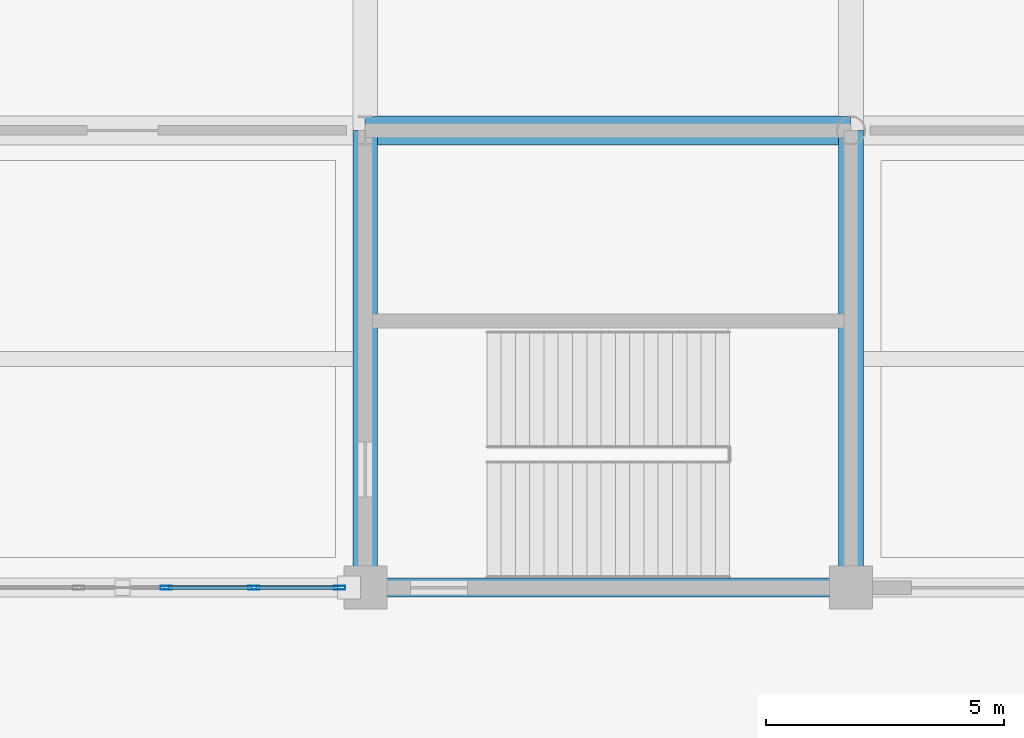
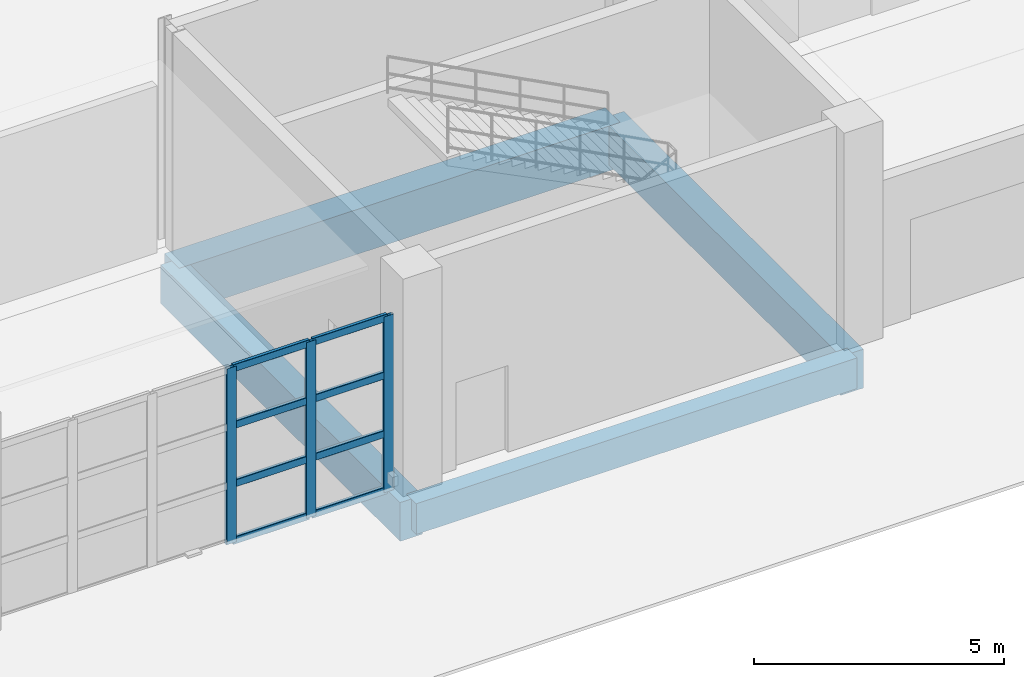
# One storey, part 28 of 124: 11 members, 4 beams, 1 element without a shape of its own.
"""IFC4 building model written with IfcOpenShell, lengths in metres."""

from ifc_helpers import new_model, si_unit, direction, frame, origin, origin_2d, place, context, subcontext, project, spatial, rectangle, hollow_rectangle, extrude, material, material_profile, profile_set, type_object, element, aggregate, save


model = new_model("IFC4")

# Units and contexts
model_context = context("Model", 3, precision=1e-05, world=origin(), true_north=direction((0.0, 1.0)))
body_context = subcontext(model_context, "Body", "Model", "MODEL_VIEW")
ifc_project = project(units=[si_unit("LENGTHUNIT", "METRE"), si_unit("AREAUNIT", "SQUARE_METRE"), si_unit("VOLUMEUNIT", "CUBIC_METRE"), si_unit("PLANEANGLEUNIT", "RADIAN"), si_unit("MASSUNIT", "GRAM", prefix="KILO")], contexts=[model_context])

# Site, building, storey
site_placement = place(None, origin())
site = spatial("IfcSite", under=ifc_project, at=site_placement, CompositionType="ELEMENT")
building_placement = place(site_placement, origin())
building = spatial("IfcBuilding", under=site, at=building_placement, Name="Brelvane Convention Centre", CompositionType="ELEMENT")
storey_placement = place(building_placement, origin())
storey = spatial("IfcBuildingStorey", under=building, at=storey_placement, Name="L00", CompositionType="ELEMENT", Elevation=0.0)

# Curtain wall, members
ifc_material_1 = material(Name="Anodised Aluminium Alloy 6063-T6", Category="aluminium")
curtain_wall_type = type_object("IfcCurtainWallType", Name="Curtain Wall CW-CONC", PredefinedType="USERDEFINED", material=ifc_material_1)
curtain_wall_placement = place(storey_placement, origin())
curtain_wall = element("IfcCurtainWall", 1, at=curtain_wall_placement, inside=storey, type_object=curtain_wall_type, Name="Curtain Wall CW-CONC L00-V1S-05", ObjectType="UNITISED", PredefinedType="USERDEFINED")
ifc_material_2 = material(Name="Anodised Aluminium Alloy 6063-T6", Category="aluminium")
ifc_material_profile_1 = material_profile(ifc_material_2, hollow_rectangle(XDim=0.080078125, YDim=0.239990234375, WallThickness=0.006103515625, InnerFilletRadius=0.006103515625, OuterFilletRadius=0.011962890625, at=origin_2d()), Name="ALU-M 240x80x6.0")
ifc_profile_set_1 = profile_set([ifc_material_profile_1], Name="Anodised Aluminium Alloy 6063-T6")
member_type_1 = type_object("IfcMemberType", Name="Curtain Mullion CW-M1", PredefinedType="MULLION", material=ifc_profile_set_1)
member_1_placement = place(storey_placement, frame((46.820068359375, 19.199951171875, 0.0), z_axis=(0.0, 0.0, 1.0), x_axis=(0.0, 1.0, 0.0)))
member_1 = element("IfcMember", 2, at=member_1_placement, type_object=member_type_1, Name="CW-CONC mullion 4", PredefinedType="MULLION", context=body_context, shape_type="SweptSolid", body=[
    extrude(hollow_rectangle(XDim=0.080078125, YDim=0.239990234375, WallThickness=0.006103515625, InnerFilletRadius=0.006103515625, OuterFilletRadius=0.011962890625, at=origin_2d()), origin(), (0.0, 0.0, 1.0), 4.300048828125),
])
member_2_placement = place(storey_placement, frame((48.659912109375, 19.199951171875, 0.0), z_axis=(0.0, 0.0, 1.0), x_axis=(0.0, 1.0, 0.0)))
member_2 = element("IfcMember", 3, at=member_2_placement, type_object=member_type_1, Name="CW-CONC mullion 5", PredefinedType="MULLION", context=body_context, shape_type="SweptSolid", body=[
    extrude(hollow_rectangle(XDim=0.080078125, YDim=0.239990234375, WallThickness=0.006103515625, InnerFilletRadius=0.006103515625, OuterFilletRadius=0.011962890625, at=origin_2d()), origin(), (0.0, 0.0, 1.0), 4.300048828125),
])
member_3_placement = place(storey_placement, frame((50.4599609375, 19.199951171875, 0.0), z_axis=(0.0, 0.0, 1.0), x_axis=(0.0, 1.0, 0.0)))
member_3 = element("IfcMember", 4, at=member_3_placement, type_object=member_type_1, Name="CW-CONC mullion 6", PredefinedType="MULLION", context=body_context, shape_type="SweptSolid", body=[
    extrude(hollow_rectangle(XDim=0.080078125, YDim=0.239990234375, WallThickness=0.006103515625, InnerFilletRadius=0.006103515625, OuterFilletRadius=0.011962890625, at=origin_2d()), origin(), (0.0, 0.0, 1.0), 4.300048828125),
])
ifc_material_3 = material(Name="Anodised Aluminium Alloy 6063-T6", Category="aluminium")
ifc_material_profile_2 = material_profile(ifc_material_3, hollow_rectangle(XDim=0.080078125, YDim=0.179931640625, WallThickness=0.0048828125, InnerFilletRadius=0.0048828125, OuterFilletRadius=0.010009765625, at=origin_2d()), Name="ALU-T 180x80x5.0")
ifc_profile_set_2 = profile_set([ifc_material_profile_2], Name="Anodised Aluminium Alloy 6063-T6")
member_type_2 = type_object("IfcMemberType", Name="Curtain Transom CW-T1", PredefinedType="USERDEFINED", material=ifc_profile_set_2)
member_4_placement = place(storey_placement, frame((46.860107421875, 19.199951171875, 0.0400390625), z_axis=(1.0, 0.0, 0.0), x_axis=(0.0, 1.0, 0.0)))
member_4 = element("IfcMember", 5, at=member_4_placement, type_object=member_type_2, Name="CW-CONC transom 4.1", ObjectType="TRANSOM", PredefinedType="USERDEFINED", context=body_context, shape_type="SweptSolid", body=[
    extrude(hollow_rectangle(XDim=0.080078125, YDim=0.179931640625, WallThickness=0.0048828125, InnerFilletRadius=0.0048828125, OuterFilletRadius=0.010009765625, at=origin_2d()), origin(), (0.0, 0.0, 1.0), 1.760009765625),
])
member_5_placement = place(storey_placement, frame((46.860107421875, 19.199951171875, 1.433349609375), z_axis=(1.0, 0.0, 0.0), x_axis=(0.0, 1.0, 0.0)))
member_5 = element("IfcMember", 6, at=member_5_placement, type_object=member_type_2, Name="CW-CONC transom 4.2", ObjectType="TRANSOM", PredefinedType="USERDEFINED", context=body_context, shape_type="SweptSolid", body=[
    extrude(hollow_rectangle(XDim=0.080078125, YDim=0.179931640625, WallThickness=0.0048828125, InnerFilletRadius=0.0048828125, OuterFilletRadius=0.010009765625, at=origin_2d()), origin(), (0.0, 0.0, 1.0), 1.760009765625),
])
member_6_placement = place(storey_placement, frame((46.860107421875, 19.199951171875, 2.86669921875), z_axis=(1.0, 0.0, 0.0), x_axis=(0.0, 1.0, 0.0)))
member_6 = element("IfcMember", 7, at=member_6_placement, type_object=member_type_2, Name="CW-CONC transom 4.3", ObjectType="TRANSOM", PredefinedType="USERDEFINED", context=body_context, shape_type="SweptSolid", body=[
    extrude(hollow_rectangle(XDim=0.080078125, YDim=0.179931640625, WallThickness=0.0048828125, InnerFilletRadius=0.0048828125, OuterFilletRadius=0.010009765625, at=origin_2d()), origin(), (0.0, 0.0, 1.0), 1.760009765625),
])
member_7_placement = place(storey_placement, frame((46.860107421875, 19.199951171875, 4.260009765625), z_axis=(1.0, 0.0, 0.0), x_axis=(0.0, 1.0, 0.0)))
member_7 = element("IfcMember", 8, at=member_7_placement, type_object=member_type_2, Name="CW-CONC transom 4.4", ObjectType="TRANSOM", PredefinedType="USERDEFINED", context=body_context, shape_type="SweptSolid", body=[
    extrude(hollow_rectangle(XDim=0.080078125, YDim=0.179931640625, WallThickness=0.0048828125, InnerFilletRadius=0.0048828125, OuterFilletRadius=0.010009765625, at=origin_2d()), origin(), (0.0, 0.0, 1.0), 1.760009765625),
])
member_8_placement = place(storey_placement, frame((48.699951171875, 19.199951171875, 0.0400390625), z_axis=(1.0, 0.0, 0.0), x_axis=(0.0, 1.0, 0.0)))
member_8 = element("IfcMember", 9, at=member_8_placement, type_object=member_type_2, Name="CW-CONC transom 5.1", ObjectType="TRANSOM", PredefinedType="USERDEFINED", context=body_context, shape_type="SweptSolid", body=[
    extrude(hollow_rectangle(XDim=0.080078125, YDim=0.179931640625, WallThickness=0.0048828125, InnerFilletRadius=0.0048828125, OuterFilletRadius=0.010009765625, at=origin_2d()), origin(), (0.0, 0.0, 1.0), 1.719970703125),
])
member_9_placement = place(storey_placement, frame((48.699951171875, 19.199951171875, 1.433349609375), z_axis=(1.0, 0.0, 0.0), x_axis=(0.0, 1.0, 0.0)))
member_9 = element("IfcMember", 10, at=member_9_placement, type_object=member_type_2, Name="CW-CONC transom 5.2", ObjectType="TRANSOM", PredefinedType="USERDEFINED", context=body_context, shape_type="SweptSolid", body=[
    extrude(hollow_rectangle(XDim=0.080078125, YDim=0.179931640625, WallThickness=0.0048828125, InnerFilletRadius=0.0048828125, OuterFilletRadius=0.010009765625, at=origin_2d()), origin(), (0.0, 0.0, 1.0), 1.719970703125),
])
member_10_placement = place(storey_placement, frame((48.699951171875, 19.199951171875, 2.86669921875), z_axis=(1.0, 0.0, 0.0), x_axis=(0.0, 1.0, 0.0)))
member_10 = element("IfcMember", 11, at=member_10_placement, type_object=member_type_2, Name="CW-CONC transom 5.3", ObjectType="TRANSOM", PredefinedType="USERDEFINED", context=body_context, shape_type="SweptSolid", body=[
    extrude(hollow_rectangle(XDim=0.080078125, YDim=0.179931640625, WallThickness=0.0048828125, InnerFilletRadius=0.0048828125, OuterFilletRadius=0.010009765625, at=origin_2d()), origin(), (0.0, 0.0, 1.0), 1.719970703125),
])
member_11_placement = place(storey_placement, frame((48.699951171875, 19.199951171875, 4.260009765625), z_axis=(1.0, 0.0, 0.0), x_axis=(0.0, 1.0, 0.0)))
member_11 = element("IfcMember", 12, at=member_11_placement, type_object=member_type_2, Name="CW-CONC transom 5.4", ObjectType="TRANSOM", PredefinedType="USERDEFINED", context=body_context, shape_type="SweptSolid", body=[
    extrude(hollow_rectangle(XDim=0.080078125, YDim=0.179931640625, WallThickness=0.0048828125, InnerFilletRadius=0.0048828125, OuterFilletRadius=0.010009765625, at=origin_2d()), origin(), (0.0, 0.0, 1.0), 1.719970703125),
])
aggregate(curtain_wall, [member_1, member_2, member_3, member_4, member_5, member_6, member_7, member_8, member_9, member_10, member_11])

# Beams
ifc_material_4 = material(Name="Concrete M50", Category="concrete")
ifc_material_profile_3 = material_profile(ifc_material_4, rectangle(XDim=0.60009765625, YDim=1.10009765625, at=origin_2d()), Name="RC 600x1100")
ifc_profile_set_3 = profile_set([ifc_material_profile_3], Name="Concrete M50")
beam_type_1 = type_object("IfcBeamType", Name="RC Beam B-RC2 (RC 600x1100)", PredefinedType="BEAM", material=ifc_profile_set_3)
beam_1_placement = place(storey_placement, frame((51.0, 28.800048828125, -0.949951171875), z_axis=(1.0, 0.0, 0.0), x_axis=(0.0, 1.0, 0.0)))
element("IfcBeam", 13, at=beam_1_placement, inside=storey, type_object=beam_type_1, Name="L00 Beam 6-7/D", PredefinedType="BEAM", context=body_context, shape_type="SweptSolid", body=[
    extrude(rectangle(XDim=0.60009765625, YDim=1.10009765625, at=origin_2d()), origin(), (0.0, 0.0, 1.0), 10.199951171875),
])
ifc_material_5 = material(Name="Concrete M50", Category="concrete")
ifc_material_profile_4 = material_profile(ifc_material_5, rectangle(XDim=0.52001953125, YDim=0.949951171875, at=origin_2d()), Name="RC 520x950")
ifc_profile_set_4 = profile_set([ifc_material_profile_4], Name="Concrete M50")
beam_type_2 = type_object("IfcBeamType", Name="RC Beam B-RC9 (RC 520x950)", PredefinedType="BEAM", material=ifc_profile_set_4)
for number, where, z_axis, x_axis, name in (
    (14, (51.0, 19.199951171875, -0.875), (0.0, 1.0, 0.0), (-1.0, 0.0, 0.0), "L00 Girder 6/C-D"),
    (15, (61.199951171875, 19.199951171875, -0.875), (0.0, 1.0, 0.0), (-1.0, 0.0, 0.0), "L00 Girder 7/C-D"),
):
    element("IfcBeam", number, at=place(storey_placement, frame(where, z_axis=z_axis, x_axis=x_axis)), inside=storey, type_object=beam_type_2, Name=name, PredefinedType="BEAM", context=body_context, shape_type="SweptSolid", body=[
        extrude(rectangle(XDim=0.52001953125, YDim=0.949951171875, at=origin_2d()), origin(), (0.0, 0.0, 1.0), 9.60009765625),
    ])
ifc_material_6 = material(Name="Concrete M40", Category="concrete")
ifc_material_profile_5 = material_profile(ifc_material_6, rectangle(XDim=0.39990234375, YDim=0.75, at=origin_2d()), Name="RC 400x750")
ifc_profile_set_5 = profile_set([ifc_material_profile_5], Name="Concrete M40")
beam_type_3 = type_object("IfcBeamType", Name="RC Spandrel SP-RC1 (RC 400x750)", PredefinedType="SPANDREL", material=ifc_profile_set_5)
beam_2_placement = place(storey_placement, frame((51.0, 19.199951171875, -0.77490234375), z_axis=(1.0, 0.0, 0.0), x_axis=(0.0, 1.0, 0.0)))
element("IfcBeam", 16, at=beam_2_placement, inside=storey, type_object=beam_type_3, Name="L00 Beam 6-7/C", PredefinedType="SPANDREL", context=body_context, shape_type="SweptSolid", body=[
    extrude(rectangle(XDim=0.39990234375, YDim=0.75, at=origin_2d()), origin(), (0.0, 0.0, 1.0), 10.199951171875),
])

save(model, "model.ifc")
